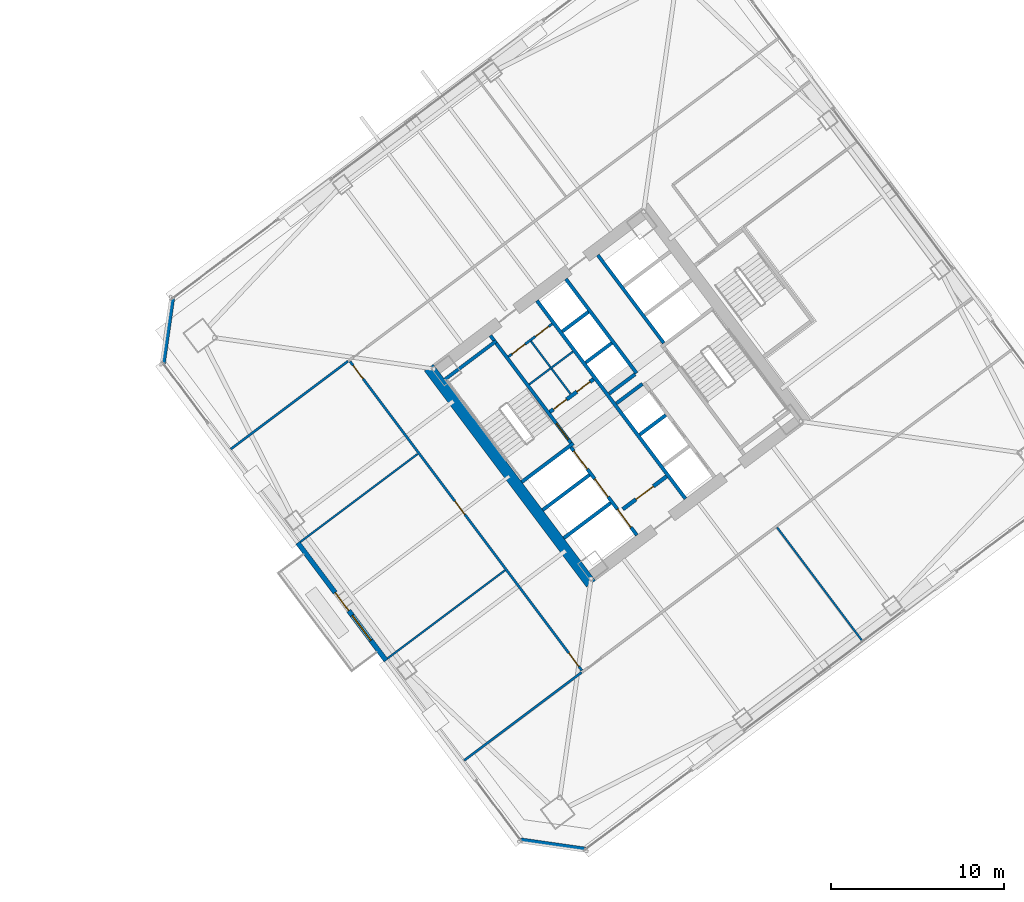
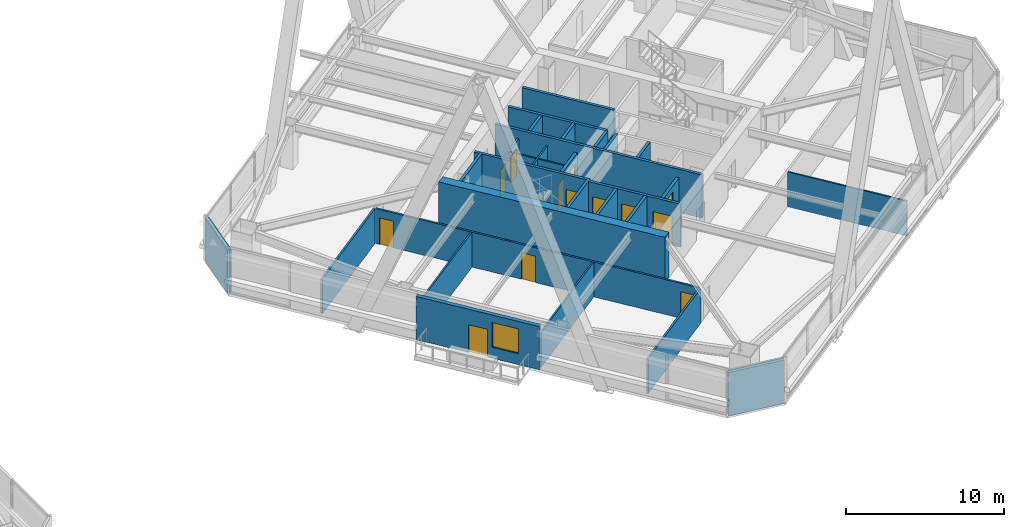
# One storey, part 45 of 54: 29 walls, 13 doors, 1 window, 14 openings.
"""IFC4 building model written with IfcOpenShell, lengths in metres."""

from ifc_helpers import new_model, si_unit, direction, frame, frame_2d, origin, place, context, subcontext, project, spatial, rectangle, extrude, material, layer, layer_set, type_object, element, fill, save


model = new_model("IFC4")

# Units and contexts
model_context = context("Model", 3, precision=1e-05, world=origin(), true_north=direction((0.0, 1.0)))
body_context = subcontext(model_context, "Body", "Model", "MODEL_VIEW")
ifc_project = project(units=[si_unit("LENGTHUNIT", "METRE"), si_unit("AREAUNIT", "SQUARE_METRE"), si_unit("VOLUMEUNIT", "CUBIC_METRE"), si_unit("PLANEANGLEUNIT", "RADIAN"), si_unit("MASSUNIT", "GRAM", prefix="KILO")], contexts=[model_context])

# Site, building, storey
site_placement = place(None, origin())
site = spatial("IfcSite", under=ifc_project, at=site_placement, CompositionType="ELEMENT")
building_placement = place(site_placement, origin())
building = spatial("IfcBuilding", under=site, at=building_placement, Name="Tashvorn Skyway Center", CompositionType="ELEMENT")
storey_placement = place(building_placement, frame((0.0, 0.0, 88.5)))
storey = spatial("IfcBuildingStorey", under=building, at=storey_placement, Name="L23", CompositionType="ELEMENT", Elevation=88.5)

# Wall
ifc_material_1 = material(Name="Concrete C60/75", Category="concrete")
ifc_layer_1 = layer(ifc_material_1, 0.64990234375)
ifc_layer_set_1 = layer_set([ifc_layer_1], Name="Concrete C60/75")
wall_type_1 = type_object("IfcWallType", Name="WALL-CORE-650", PredefinedType="SHEAR", material=ifc_layer_set_1)
wall_1_placement = place(storey_placement, frame((112.47607421875, 21.10693359375, 0.0), z_axis=(0.0, 0.0, 1.0), x_axis=(-0.600005007985, 0.799996243986, 0.0)))
element("IfcWall", 1, at=wall_1_placement, inside=storey, type_object=wall_type_1, Name="Tower 2 L23 West Core Shear Wall", PredefinedType="SHEAR", context=body_context, shape_type="SweptSolid", body=[
    extrude(rectangle(XDim=15.60009765625, YDim=0.64990234375, at=frame_2d((7.800048828125, 0.0))), origin(), (0.0, 0.0, 1.0), 3.550048828125),
])

# Wall, openings, door, window
ifc_material_2 = material(Name="Precast concrete C40/50", Category="concrete")
ifc_layer_2 = layer(ifc_material_2, 0.280029296875)
ifc_layer_set_2 = layer_set([ifc_layer_2], Name="Precast concrete C40/50")
wall_type_2 = type_object("IfcWallType", Name="WALL-EXT-280", PredefinedType="SOLIDWALL", material=ifc_layer_set_2)
wall_2_placement = place(storey_placement, frame((100.64599609375, 16.672119140625, 0.0), z_axis=(0.0, 0.0, 1.0), x_axis=(-0.600018382406, 0.799986212866, 0.0)))
wall_2 = element("IfcWall", 2, at=wall_2_placement, inside=storey, type_object=wall_type_2, Name="Tower 2 L23 West Terrace Portal Wall", PredefinedType="SOLIDWALL", context=body_context, shape_type="SweptSolid", body=[
    extrude(rectangle(XDim=8.5, YDim=0.280029296875, at=frame_2d((4.25, 0.0))), origin(), (0.0, 0.0, 1.0), 3.35009765625),
])
opening_1_placement = place(wall_2_placement, frame((3.60009765625, 0.0, 0.0)))
opening_1 = element("IfcOpeningElement", 3, at=opening_1_placement, cuts=wall_2, Name="Opening D-TER-1300", PredefinedType="OPENING", context=body_context, shape_type="SweptSolid", body=[
    extrude(rectangle(XDim=1.300048828125, YDim=2.14990234375, at=frame_2d((0.64990234375, 1.074951171875))), frame((0.0, 0.14990234375, 0.0), z_axis=(0.0, -1.0, 0.0), x_axis=(1.0, 0.0, 0.0)), (0.0, 0.0, 1.0), 0.300048828125),
])
opening_2_placement = place(wall_2_placement, frame((1.4599609375, 0.0, 0.85009765625)))
opening_2 = element("IfcOpeningElement", 4, at=opening_2_placement, cuts=wall_2, Name="Opening WIN-1800", PredefinedType="OPENING", context=body_context, shape_type="SweptSolid", body=[
    extrude(rectangle(XDim=1.800048828125, YDim=1.919921875, at=frame_2d((0.89990234375, 0.9599609375))), frame((0.0, 0.14990234375, 0.0), z_axis=(0.0, -1.0, 0.0), x_axis=(1.0, 0.0, 0.0)), (0.0, 0.0, 1.0), 0.300048828125),
])
ifc_material_3 = material(Name="Thermally broken bronze-anodized aluminium 6063-T6", Category="aluminium")
door_type_1 = type_object("IfcDoorType", Name="DOOR-TERR-1300", OperationType="NOTDEFINED", PredefinedType="DOOR", material=ifc_material_3)
door_1_placement = place(opening_1_placement, origin())
door_1 = element("IfcDoor", 5, at=door_1_placement, inside=storey, type_object=door_type_1, Name="Tower 2 L23 Terrace Access Door", OperationType="SINGLE_SWING_RIGHT", OverallHeight=2.14990234375, OverallWidth=1.300048828125, PredefinedType="DOOR", context=body_context, shape_type="SweptSolid", body=[
    extrude(rectangle(XDim=1.300048828125, YDim=2.14990234375, at=frame_2d((0.64990234375, 1.074951171875))), frame((0.0, 0.02490234375, 0.0), z_axis=(0.0, -1.0, 0.0), x_axis=(1.0, 0.0, 0.0)), (0.0, 0.0, 1.0), 0.050048828125),
])
fill(opening_1, door_1)
ifc_material_4 = material(Name="Low-E solar-control double insulating safety glass", Category="glass")
window_type = type_object("IfcWindowType", Name="WIN-TERR-1800", PartitioningType="SINGLE_PANEL", PredefinedType="WINDOW", material=ifc_material_4)
window_placement = place(opening_2_placement, origin())
window = element("IfcWindow", 6, at=window_placement, inside=storey, type_object=window_type, Name="Tower 2 L23 Terrace Window", OverallHeight=1.919921875, OverallWidth=1.800048828125, PartitioningType="SINGLE_PANEL", PredefinedType="WINDOW", context=body_context, shape_type="SweptSolid", body=[
    extrude(rectangle(XDim=1.800048828125, YDim=1.919921875, at=frame_2d((0.89990234375, 0.9599609375))), frame((0.0, 0.030029296875, 0.0), z_axis=(0.0, -1.0, 0.0), x_axis=(1.0, 0.0, 0.0)), (0.0, 0.0, 1.0), 0.06005859375),
])
fill(opening_2, window)

# Walls
for number, where, z_axis, x_axis, name in (
    (7, (112.179931640625, 5.760009765625, 0.0), (0.0, 0.0, 1.0), (-0.989948214866, 0.141430307517, 0.0), "Tower 2 L23 SW Precast Chamfer Wall"),
    (8, (87.760009765625, 33.820068359375, 0.0), (0.0, 0.0, 1.0), (0.141430307517, 0.989948214866, 0.0), "Tower 2 L23 NW Precast Chamfer Wall"),
):
    element("IfcWall", number, at=place(storey_placement, frame(where, z_axis=z_axis, x_axis=x_axis)), inside=storey, type_object=wall_type_2, Name=name, PredefinedType="SOLIDWALL", context=body_context, shape_type="SweptSolid", body=[
        extrude(rectangle(XDim=3.818359375, YDim=0.280029296875, at=frame_2d((1.9091796875, 0.0))), origin(), (0.0, 0.0, 1.0), 3.35009765625),
    ])

# Wall, openings, doors
ifc_material_5 = material(Name="Concrete C40/50", Category="concrete")
ifc_layer_3 = layer(ifc_material_5, 0.219970703125)
ifc_layer_set_3 = layer_set([ifc_layer_3], Name="Concrete C40/50")
wall_type_3 = type_object("IfcWallType", Name="WALL-FFL-220", PredefinedType="SOLIDWALL", material=ifc_layer_set_3)
wall_3_placement = place(storey_placement, frame((110.10400390625, 31.028076171875, 0.0), z_axis=(0.0, 0.0, 1.0), x_axis=(0.800018601094, 0.59997519774, 0.0)))
wall_3 = element("IfcWall", 9, at=wall_3_placement, inside=storey, type_object=wall_type_3, Name="Tower 2 L23 Firefighting Lobby North Wall", PredefinedType="SOLIDWALL", context=body_context, shape_type="SweptSolid", body=[
    extrude(rectangle(XDim=3.14990234375, YDim=0.219970703125, at=frame_2d((1.574951171875, 0.0))), origin(), (0.0, 0.0, 1.0), 2.702880859375),
])
opening_3_placement = place(wall_3_placement, frame((0.25, 0.0, 0.0)))
opening_3 = element("IfcOpeningElement", 10, at=opening_3_placement, cuts=wall_3, Name="Opening D-RT-950", PredefinedType="OPENING", context=body_context, shape_type="SweptSolid", body=[
    extrude(rectangle(XDim=0.949951171875, YDim=2.050048828125, at=frame_2d((0.47509765625, 1.02490234375))), frame((0.0, 0.119873046875, 0.0), z_axis=(0.0, -1.0, 0.0), x_axis=(1.0, 0.0, 0.0)), (0.0, 0.0, 1.0), 0.239990234375),
])
opening_4_placement = place(wall_3_placement, frame((1.949951171875, 0.0, 0.0)))
opening_4 = element("IfcOpeningElement", 11, at=opening_4_placement, cuts=wall_3, Name="Opening D-RT-950", PredefinedType="OPENING", context=body_context, shape_type="SweptSolid", body=[
    extrude(rectangle(XDim=0.949951171875, YDim=2.050048828125, at=frame_2d((0.47509765625, 1.02490234375))), frame((0.0, 0.119873046875, 0.0), z_axis=(0.0, -1.0, 0.0), x_axis=(1.0, 0.0, 0.0)), (0.0, 0.0, 1.0), 0.239990234375),
])
ifc_material_6 = material(Name="Hollow galvanized steel fire door assembly", Category="steel")
door_type_2 = type_object("IfcDoorType", Name="DOOR-RATED-950", OperationType="NOTDEFINED", PredefinedType="DOOR", material=ifc_material_6)
door_2_placement = place(opening_3_placement, origin())
door_2 = element("IfcDoor", 12, at=door_2_placement, inside=storey, type_object=door_type_2, Name="Tower 2 L23 Core Mail Room Door", OperationType="SINGLE_SWING_LEFT", OverallHeight=2.050048828125, OverallWidth=0.949951171875, PredefinedType="DOOR", context=body_context, shape_type="SweptSolid", body=[
    extrude(rectangle(XDim=0.949951171875, YDim=2.050048828125, at=frame_2d((0.47509765625, 1.02490234375))), frame((0.0, 0.02490234375, 0.0), z_axis=(0.0, -1.0, 0.0), x_axis=(1.0, 0.0, 0.0)), (0.0, 0.0, 1.0), 0.050048828125),
])
fill(opening_3, door_2)
door_3_placement = place(opening_4_placement, origin())
door_3 = element("IfcDoor", 13, at=door_3_placement, inside=storey, type_object=door_type_2, Name="Tower 2 L23 Core Supply Closet Door", OperationType="SINGLE_SWING_RIGHT", OverallHeight=2.050048828125, OverallWidth=0.949951171875, PredefinedType="DOOR", context=body_context, shape_type="SweptSolid", body=[
    extrude(rectangle(XDim=0.949951171875, YDim=2.050048828125, at=frame_2d((0.47509765625, 1.02490234375))), frame((0.0, 0.02490234375, 0.0), z_axis=(0.0, -1.0, 0.0), x_axis=(1.0, 0.0, 0.0)), (0.0, 0.0, 1.0), 0.050048828125),
])
fill(opening_4, door_3)

# Wall, opening, door
wall_4_placement = place(storey_placement, frame((114.31591796875, 25.412109375, 0.0), z_axis=(0.0, 0.0, 1.0), x_axis=(0.800018601094, 0.59997519774, 0.0)))
wall_4 = element("IfcWall", 14, at=wall_4_placement, inside=storey, type_object=wall_type_3, Name="Tower 2 L23 Firefighting Lobby South Wall", PredefinedType="SOLIDWALL", context=body_context, shape_type="SweptSolid", body=[
    extrude(rectangle(XDim=3.14990234375, YDim=0.219970703125, at=frame_2d((1.574951171875, 0.0))), origin(), (0.0, 0.0, 1.0), 2.702880859375),
])
opening_5_placement = place(wall_4_placement, frame((0.949951171875, 0.0, 0.0)))
opening_5 = element("IfcOpeningElement", 15, at=opening_5_placement, cuts=wall_4, Name="Opening D-FFL-1250", PredefinedType="OPENING", context=body_context, shape_type="SweptSolid", body=[
    extrude(rectangle(XDim=1.25, YDim=2.25, at=frame_2d((0.625, 1.125))), frame((0.0, 0.119873046875, 0.0), z_axis=(0.0, -1.0, 0.0), x_axis=(1.0, 0.0, 0.0)), (0.0, 0.0, 1.0), 0.239990234375),
])
door_type_3 = type_object("IfcDoorType", Name="DOOR-FFL-1250", OperationType="NOTDEFINED", PredefinedType="DOOR", material=ifc_material_6)
door_4_placement = place(opening_5_placement, origin())
door_4 = element("IfcDoor", 16, at=door_4_placement, inside=storey, type_object=door_type_3, Name="Tower 2 L23 Firefighting Lobby Egress Door", OperationType="SINGLE_SWING_LEFT", OverallHeight=2.25, OverallWidth=1.25, PredefinedType="DOOR", context=body_context, shape_type="SweptSolid", body=[
    extrude(rectangle(XDim=1.25, YDim=2.25, at=frame_2d((0.625, 1.125))), frame((0.0, 0.02490234375, 0.0), z_axis=(0.0, -1.0, 0.0), x_axis=(1.0, 0.0, 0.0)), (0.0, 0.0, 1.0), 0.050048828125),
])
fill(opening_5, door_4)

# Walls
ifc_material_7 = material(Name="Gypsum board on cold-formed steel stud framing", Category="steel")
ifc_layer_4 = layer(ifc_material_7, 0.110107421875)
ifc_layer_set_4 = layer_set([ifc_layer_4], Name="Gypsum board on cold-formed steel stud framing")
wall_type_4 = type_object("IfcWallType", Name="WALL-PART-110", PredefinedType="PARTITIONING", material=ifc_layer_set_4)
wall_5_placement = place(storey_placement, frame((128.16796875, 17.77587890625, 0.0), z_axis=(0.0, 0.0, 1.0), x_axis=(-0.599985761145, 0.800010678943, 0.0)))
element("IfcWall", 17, at=wall_5_placement, inside=storey, type_object=wall_type_4, Name="Tower 2 L23 South Suite Partition 1", PredefinedType="PARTITIONING", context=body_context, shape_type="SweptSolid", body=[
    extrude(rectangle(XDim=8.230224609375, YDim=0.110107421875, at=frame_2d((4.115234375, 0.0))), origin(), (0.0, 0.0, 1.0), 2.702880859375),
])
for number, where, z_axis, x_axis, name in (
    (18, (100.736083984375, 16.802001953125, 0.0), (0.0, 0.0, 1.0), (0.799993082085, 0.600009223776, 0.0), "Tower 2 L23 West Suite Partition 1"),
    (19, (95.696044921875, 23.52197265625, 0.0), (0.0, 0.0, 1.0), (0.799993082085, 0.600009223776, 0.0), "Tower 2 L23 West Suite Partition 2"),
):
    element("IfcWall", number, at=place(storey_placement, frame(where, z_axis=z_axis, x_axis=x_axis)), inside=storey, type_object=wall_type_4, Name=name, PredefinedType="PARTITIONING", context=body_context, shape_type="SweptSolid", body=[
        extrude(rectangle(XDim=8.469970703125, YDim=0.110107421875, at=frame_2d((4.23486328125, 0.0))), origin(), (0.0, 0.0, 1.0), 2.702880859375),
    ])

# Wall, openings, doors
ifc_layer_5 = layer(ifc_material_7, 0.135009765625)
ifc_layer_set_5 = layer_set([ifc_layer_5], Name="Gypsum board on cold-formed steel stud framing")
wall_type_5 = type_object("IfcWallType", Name="WALL-PART-135", PredefinedType="PARTITIONING", material=ifc_layer_set_5)
wall_6_placement = place(storey_placement, frame((111.949951171875, 16.10009765625, 0.0), z_axis=(0.0, 0.0, 1.0), x_axis=(-0.600001750902, 0.799998686821, 0.0)))
wall_6 = element("IfcWall", 20, at=wall_6_placement, inside=storey, type_object=wall_type_5, Name="Tower 2 L23 West Inner Suite Wall", PredefinedType="PARTITIONING", context=body_context, shape_type="SweptSolid", body=[
    extrude(rectangle(XDim=22.309814453125, YDim=0.135009765625, at=frame_2d((11.15478515625, 0.0))), origin(), (0.0, 0.0, 1.0), 2.702880859375),
])
opening_6_placement = place(wall_6_placement, frame((0.300048828125, 0.0, 0.0)))
opening_6 = element("IfcOpeningElement", 21, at=opening_6_placement, cuts=wall_6, Name="Opening D-INT-950", PredefinedType="OPENING", context=body_context, shape_type="SweptSolid", body=[
    extrude(rectangle(XDim=0.949951171875, YDim=2.050048828125, at=frame_2d((0.47509765625, 1.02490234375))), frame((0.0, 0.077392578125, 0.0), z_axis=(0.0, -1.0, 0.0), x_axis=(1.0, 0.0, 0.0)), (0.0, 0.0, 1.0), 0.155029296875),
])
opening_7_placement = place(wall_6_placement, frame((11.272216796875, 0.0, 0.0)))
opening_7 = element("IfcOpeningElement", 22, at=opening_7_placement, cuts=wall_6, Name="Opening D-INT-950", PredefinedType="OPENING", context=body_context, shape_type="SweptSolid", body=[
    extrude(rectangle(XDim=0.949951171875, YDim=2.050048828125, at=frame_2d((0.47509765625, 1.02490234375))), frame((0.0, 0.077392578125, 0.0), z_axis=(0.0, -1.0, 0.0), x_axis=(1.0, 0.0, 0.0)), (0.0, 0.0, 1.0), 0.155029296875),
])
opening_8_placement = place(wall_6_placement, frame((21.06005859375, 0.0, 0.0)))
opening_8 = element("IfcOpeningElement", 23, at=opening_8_placement, cuts=wall_6, Name="Opening D-INT-950", PredefinedType="OPENING", context=body_context, shape_type="SweptSolid", body=[
    extrude(rectangle(XDim=0.949951171875, YDim=2.050048828125, at=frame_2d((0.47509765625, 1.02490234375))), frame((0.0, 0.077392578125, 0.0), z_axis=(0.0, -1.0, 0.0), x_axis=(1.0, 0.0, 0.0)), (0.0, 0.0, 1.0), 0.155029296875),
])
ifc_material_8 = material(Name="Solid-core architectural oak veneer door")
door_type_4 = type_object("IfcDoorType", Name="DOOR-INT-950", OperationType="NOTDEFINED", PredefinedType="DOOR", material=ifc_material_8)
door_5_placement = place(opening_6_placement, origin())
door_5 = element("IfcDoor", 24, at=door_5_placement, inside=storey, type_object=door_type_4, Name="Tower 2 L23 Corporate Office Door", OperationType="SINGLE_SWING_LEFT", OverallHeight=2.050048828125, OverallWidth=0.949951171875, PredefinedType="DOOR", context=body_context, shape_type="SweptSolid", body=[
    extrude(rectangle(XDim=0.949951171875, YDim=2.050048828125, at=frame_2d((0.47509765625, 1.02490234375))), frame((0.0, 0.02490234375, 0.0), z_axis=(0.0, -1.0, 0.0), x_axis=(1.0, 0.0, 0.0)), (0.0, 0.0, 1.0), 0.050048828125),
])
fill(opening_6, door_5)
door_6_placement = place(opening_7_placement, origin())
door_6 = element("IfcDoor", 25, at=door_6_placement, inside=storey, type_object=door_type_4, Name="Tower 2 L23 Wellness Clinic Door", OperationType="SINGLE_SWING_RIGHT", OverallHeight=2.050048828125, OverallWidth=0.949951171875, PredefinedType="DOOR", context=body_context, shape_type="SweptSolid", body=[
    extrude(rectangle(XDim=0.949951171875, YDim=2.050048828125, at=frame_2d((0.47509765625, 1.02490234375))), frame((0.0, 0.02490234375, 0.0), z_axis=(0.0, -1.0, 0.0), x_axis=(1.0, 0.0, 0.0)), (0.0, 0.0, 1.0), 0.050048828125),
])
fill(opening_7, door_6)
door_7_placement = place(opening_8_placement, origin())
door_7 = element("IfcDoor", 26, at=door_7_placement, inside=storey, type_object=door_type_4, Name="Tower 2 L23 Corporate Office Door", OperationType="SINGLE_SWING_LEFT", OverallHeight=2.050048828125, OverallWidth=0.949951171875, PredefinedType="DOOR", context=body_context, shape_type="SweptSolid", body=[
    extrude(rectangle(XDim=0.949951171875, YDim=2.050048828125, at=frame_2d((0.47509765625, 1.02490234375))), frame((0.0, 0.02490234375, 0.0), z_axis=(0.0, -1.0, 0.0), x_axis=(1.0, 0.0, 0.0)), (0.0, 0.0, 1.0), 0.050048828125),
])
fill(opening_8, door_7)

# Walls
wall_7_placement = place(storey_placement, frame((98.451904296875, 33.964111328125, 0.0), z_axis=(0.0, 0.0, 1.0), x_axis=(-0.799993082085, -0.600009223776, 0.0)))
element("IfcWall", 27, at=wall_7_placement, inside=storey, type_object=wall_type_5, Name="Tower 2 L23 West Suite North Wall", PredefinedType="PARTITIONING", context=body_context, shape_type="SweptSolid", body=[
    extrude(rectangle(XDim=8.469970703125, YDim=0.135009765625, at=frame_2d((4.23486328125, 0.0))), origin(), (0.0, 0.0, 1.0), 2.702880859375),
])
wall_8_placement = place(storey_placement, frame((105.157958984375, 10.906005859375, 0.0), z_axis=(0.0, 0.0, 1.0), x_axis=(0.800003458838, 0.599995388188, 0.0)))
element("IfcWall", 28, at=wall_8_placement, inside=storey, type_object=wall_type_5, Name="Tower 2 L23 West Suite South Wall", PredefinedType="PARTITIONING", context=body_context, shape_type="SweptSolid", body=[
    extrude(rectangle(XDim=8.47021484375, YDim=0.135009765625, at=frame_2d((4.235107421875, 0.0))), origin(), (0.0, 0.0, 1.0), 2.702880859375),
])
ifc_layer_6 = layer(ifc_material_7, 0.110107421875)
ifc_layer_set_6 = layer_set([ifc_layer_6], Name="Gypsum board on cold-formed steel stud framing")
wall_type_6 = type_object("IfcWallType", Name="WALL-RATED-110", PredefinedType="PARTITIONING", material=ifc_layer_set_6)
wall_9_placement = place(storey_placement, frame((111.2958984375, 32.072021484375, 0.0), z_axis=(0.0, 0.0, 1.0), x_axis=(-0.59995887973, 0.800030838552, 0.0)))
element("IfcWall", 29, at=wall_9_placement, inside=storey, type_object=wall_type_6, Name="Tower 2 L23 Core Cross Vertical", PredefinedType="PARTITIONING", context=body_context, shape_type="SweptSolid", body=[
    extrude(rectangle(XDim=3.7998046875, YDim=0.110107421875, at=frame_2d((1.89990234375, 0.0))), origin(), (0.0, 0.0, 1.0), 2.702880859375),
])
wall_10_placement = place(storey_placement, frame((108.909912109375, 32.6201171875, 0.0), z_axis=(0.0, 0.0, 1.0), x_axis=(0.800018601094, 0.59997519774, 0.0)))
element("IfcWall", 30, at=wall_10_placement, inside=storey, type_object=wall_type_6, Name="Tower 2 L23 Core Cross Horizontal", PredefinedType="PARTITIONING", context=body_context, shape_type="SweptSolid", body=[
    extrude(rectangle(XDim=3.14990234375, YDim=0.110107421875, at=frame_2d((1.574951171875, 0.0))), origin(), (0.0, 0.0, 1.0), 2.702880859375),
])

# Wall, openings, doors
ifc_layer_7 = layer(ifc_material_7, 0.135009765625)
ifc_layer_set_7 = layer_set([ifc_layer_7], Name="Gypsum board on cold-formed steel stud framing")
wall_type_7 = type_object("IfcWallType", Name="WALL-RATED-135", PredefinedType="PARTITIONING", material=ifc_layer_set_7)
wall_11_placement = place(storey_placement, frame((107.7099609375, 34.219970703125, 0.0), z_axis=(0.0, 0.0, 1.0), x_axis=(0.799981399002, 0.60002480053, 0.0)))
wall_11 = element("IfcWall", 31, at=wall_11_placement, inside=storey, type_object=wall_type_7, Name="Tower 2 L23 Core Service Lobby Wall", PredefinedType="PARTITIONING", context=body_context, shape_type="SweptSolid", body=[
    extrude(rectangle(XDim=3.150146484375, YDim=0.135009765625, at=frame_2d((1.5751953125, 0.0))), origin(), (0.0, 0.0, 1.0), 2.702880859375),
])
opening_9_placement = place(wall_11_placement, frame((0.25, 0.0, 0.0)))
opening_9 = element("IfcOpeningElement", 32, at=opening_9_placement, cuts=wall_11, Name="Opening D-RT-950", PredefinedType="OPENING", context=body_context, shape_type="SweptSolid", body=[
    extrude(rectangle(XDim=0.949951171875, YDim=2.050048828125, at=frame_2d((0.47509765625, 1.02490234375))), frame((0.0, 0.077392578125, 0.0), z_axis=(0.0, -1.0, 0.0), x_axis=(1.0, 0.0, 0.0)), (0.0, 0.0, 1.0), 0.155029296875),
])
opening_10_placement = place(wall_11_placement, frame((1.949951171875, 0.0, 0.0)))
opening_10 = element("IfcOpeningElement", 33, at=opening_10_placement, cuts=wall_11, Name="Opening D-RT-950", PredefinedType="OPENING", context=body_context, shape_type="SweptSolid", body=[
    extrude(rectangle(XDim=0.949951171875, YDim=2.050048828125, at=frame_2d((0.47509765625, 1.02490234375))), frame((0.0, 0.077392578125, 0.0), z_axis=(0.0, -1.0, 0.0), x_axis=(1.0, 0.0, 0.0)), (0.0, 0.0, 1.0), 0.155029296875),
])
door_8_placement = place(opening_9_placement, origin())
door_8 = element("IfcDoor", 34, at=door_8_placement, inside=storey, type_object=door_type_2, Name="Tower 2 L23 Core Cleaner Store Door", OperationType="SINGLE_SWING_LEFT", OverallHeight=2.050048828125, OverallWidth=0.949951171875, PredefinedType="DOOR", context=body_context, shape_type="SweptSolid", body=[
    extrude(rectangle(XDim=0.949951171875, YDim=2.050048828125, at=frame_2d((0.47509765625, 1.02490234375))), frame((0.0, 0.02490234375, 0.0), z_axis=(0.0, -1.0, 0.0), x_axis=(1.0, 0.0, 0.0)), (0.0, 0.0, 1.0), 0.050048828125),
])
fill(opening_9, door_8)
door_9_placement = place(opening_10_placement, origin())
door_9 = element("IfcDoor", 35, at=door_9_placement, inside=storey, type_object=door_type_2, Name="Tower 2 L23 Core Accessible WC Door", OperationType="SINGLE_SWING_RIGHT", OverallHeight=2.050048828125, OverallWidth=0.949951171875, PredefinedType="DOOR", context=body_context, shape_type="SweptSolid", body=[
    extrude(rectangle(XDim=0.949951171875, YDim=2.050048828125, at=frame_2d((0.47509765625, 1.02490234375))), frame((0.0, 0.02490234375, 0.0), z_axis=(0.0, -1.0, 0.0), x_axis=(1.0, 0.0, 0.0)), (0.0, 0.0, 1.0), 0.050048828125),
])
fill(opening_10, door_9)

# Walls
ifc_layer_8 = layer(ifc_material_5, 0.199951171875)
ifc_layer_set_8 = layer_set([ifc_layer_8], Name="Concrete C40/50")
wall_type_8 = type_object("IfcWallType", Name="WALL-SHAFT-200", PredefinedType="SOLIDWALL", material=ifc_layer_set_8)
for number, where, z_axis, x_axis, name in (
    (36, (110.906005859375, 23.741943359375, 0.0), (0.0, 0.0, 1.0), (0.8, 0.6, 0.0), "Tower 2 L23 FSAE Shaft Divider"),
    (37, (109.68798828125, 25.365966796875, 0.0), (0.0, 0.0, 1.0), (0.8, 0.6, 0.0), "Tower 2 L23 FSAE Shaft Divider"),
):
    element("IfcWall", number, at=place(storey_placement, frame(where, z_axis=z_axis, x_axis=x_axis)), inside=storey, type_object=wall_type_8, Name=name, PredefinedType="SOLIDWALL", context=body_context, shape_type="SweptSolid", body=[
        extrude(rectangle(XDim=3.380126953125, YDim=0.199951171875, at=frame_2d((1.68994140625, 0.0))), origin(), (0.0, 0.0, 1.0), 3.35009765625),
    ])
wall_12_placement = place(storey_placement, frame((115.2958984375, 29.721923828125, 0.0), z_axis=(0.0, 0.0, 1.0), x_axis=(0.799984418148, 0.600020775241, 0.0)))
element("IfcWall", 38, at=wall_12_placement, inside=storey, type_object=wall_type_8, Name="Tower 2 L23 Low-Rise Shaft Divider", PredefinedType="SOLIDWALL", context=body_context, shape_type="SweptSolid", body=[
    extrude(rectangle(XDim=1.880126953125, YDim=0.199951171875, at=frame_2d((0.93994140625, 0.0))), origin(), (0.0, 0.0, 1.0), 3.35009765625),
])
wall_13_placement = place(storey_placement, frame((113.946044921875, 31.52197265625, 0.0), z_axis=(0.0, 0.0, 1.0), x_axis=(0.8, 0.6, 0.0)))
element("IfcWall", 39, at=wall_13_placement, inside=storey, type_object=wall_type_8, Name="Tower 2 L23 Low-Rise Shaft Divider", PredefinedType="SOLIDWALL", context=body_context, shape_type="SweptSolid", body=[
    extrude(rectangle(XDim=1.8798828125, YDim=0.199951171875, at=frame_2d((0.93994140625, 0.0))), origin(), (0.0, 0.0, 1.0), 3.35009765625),
])
wall_14_placement = place(storey_placement, frame((115.110107421875, 33.27001953125, 0.0), z_axis=(0.0, 0.0, 1.0), x_axis=(-0.600011488909, 0.79999138319, 0.0)))
element("IfcWall", 40, at=wall_14_placement, inside=storey, type_object=wall_type_8, Name="Tower 2 L23 Mid-Rise Core Wall", PredefinedType="SOLIDWALL", context=body_context, shape_type="SweptSolid", body=[
    extrude(rectangle(XDim=6.800048828125, YDim=0.199951171875, at=frame_2d((3.39990234375, 0.0))), origin(), (0.0, 0.0, 1.0), 3.35009765625),
])
wall_15_placement = place(storey_placement, frame((113.52587890625, 32.08203125, 0.0), z_axis=(0.0, 0.0, 1.0), x_axis=(0.800046745961, 0.599937666993, 0.0)))
element("IfcWall", 41, at=wall_15_placement, inside=storey, type_object=wall_type_8, Name="Tower 2 L23 Mid-Rise Shaft Divider", PredefinedType="SOLIDWALL", context=body_context, shape_type="SweptSolid", body=[
    extrude(rectangle(XDim=1.880126953125, YDim=0.199951171875, at=frame_2d((0.93994140625, 0.0))), origin(), (0.0, 0.0, 1.0), 3.35009765625),
])
wall_16_placement = place(storey_placement, frame((112.176025390625, 33.882080078125, 0.0), z_axis=(0.0, 0.0, 1.0), x_axis=(0.8, 0.6, 0.0)))
element("IfcWall", 42, at=wall_16_placement, inside=storey, type_object=wall_type_8, Name="Tower 2 L23 Mid-Rise Shaft Divider", PredefinedType="SOLIDWALL", context=body_context, shape_type="SweptSolid", body=[
    extrude(rectangle(XDim=1.8798828125, YDim=0.199951171875, at=frame_2d((0.93994140625, 0.0))), origin(), (0.0, 0.0, 1.0), 3.35009765625),
])
wall_17_placement = place(storey_placement, frame((110.825927734375, 35.681884765625, 0.0), z_axis=(0.0, 0.0, 1.0), x_axis=(0.799984418148, 0.600020775241, 0.0)))
element("IfcWall", 43, at=wall_17_placement, inside=storey, type_object=wall_type_8, Name="Tower 2 L23 Mid-Rise Shaft Divider", PredefinedType="SOLIDWALL", context=body_context, shape_type="SweptSolid", body=[
    extrude(rectangle(XDim=1.880126953125, YDim=0.199951171875, at=frame_2d((0.93994140625, 0.0))), origin(), (0.0, 0.0, 1.0), 3.35009765625),
])

# Wall, opening, door
ifc_layer_9 = layer(ifc_material_5, 0.199951171875)
ifc_layer_set_9 = layer_set([ifc_layer_9], Name="Concrete C40/50")
wall_type_9 = type_object("IfcWallType", Name="WALL-STSHF-200", PredefinedType="SHEAR", material=ifc_layer_set_9)
wall_18_placement = place(storey_placement, frame((111.43994140625, 29.080078125, 0.0), z_axis=(0.0, 0.0, 1.0), x_axis=(-0.600009827119, 0.799992629566, 0.0)))
wall_18 = element("IfcWall", 44, at=wall_18_placement, inside=storey, type_object=wall_type_9, Name="Tower 2 L23 Stair 1 Enclosure Wall", PredefinedType="SHEAR", context=body_context, shape_type="SweptSolid", body=[
    extrude(rectangle(XDim=7.949951171875, YDim=0.199951171875, at=frame_2d((3.97509765625, 0.0))), origin(), (0.0, 0.0, 1.0), 3.35009765625),
])
opening_11_placement = place(wall_18_placement, frame((0.449951171875, 0.0, 0.0)))
opening_11 = element("IfcOpeningElement", 45, at=opening_11_placement, cuts=wall_18, Name="Opening D-ST-1150", PredefinedType="OPENING", context=body_context, shape_type="SweptSolid", body=[
    extrude(rectangle(XDim=1.14990234375, YDim=2.199951171875, at=frame_2d((0.574951171875, 1.10009765625))), frame((0.0, 0.10986328125, 0.0), z_axis=(0.0, -1.0, 0.0), x_axis=(1.0, 0.0, 0.0)), (0.0, 0.0, 1.0), 0.219970703125),
])
door_type_5 = type_object("IfcDoorType", Name="DOOR-STAIR-1150", OperationType="NOTDEFINED", PredefinedType="DOOR", material=ifc_material_6)
door_10_placement = place(opening_11_placement, origin())
door_10 = element("IfcDoor", 46, at=door_10_placement, inside=storey, type_object=door_type_5, Name="Tower 2 L23 Exit Stair 1 Door", OperationType="SINGLE_SWING_RIGHT", OverallHeight=2.199951171875, OverallWidth=1.14990234375, PredefinedType="DOOR", context=body_context, shape_type="SweptSolid", body=[
    extrude(rectangle(XDim=1.14990234375, YDim=2.199951171875, at=frame_2d((0.574951171875, 1.10009765625))), frame((0.0, 0.02490234375, 0.0), z_axis=(0.0, -1.0, 0.0), x_axis=(1.0, 0.0, 0.0)), (0.0, 0.0, 1.0), 0.050048828125),
])
fill(opening_11, door_10)

# Walls
for number, where, z_axis, x_axis, name in (
    (47, (108.47607421875, 26.98193359375, 0.0), (0.0, 0.0, 1.0), (0.799984290658, 0.600020945218, 0.0), "Tower 2 L23 Stair 1 South Wall"),
    (48, (104.035888671875, 32.902099609375, 0.0), (0.0, 0.0, 1.0), (0.800039270442, 0.59994763584, 0.0), "Tower 2 L23 Stair 1 North Wall"),
):
    element("IfcWall", number, at=place(storey_placement, frame(where, z_axis=z_axis, x_axis=x_axis)), inside=storey, type_object=wall_type_9, Name=name, PredefinedType="SHEAR", context=body_context, shape_type="SweptSolid", body=[
        extrude(rectangle(XDim=3.72998046875, YDim=0.199951171875, at=frame_2d((1.864990234375, 0.0))), origin(), (0.0, 0.0, 1.0), 3.35009765625),
    ])
wall_19_placement = place(storey_placement, frame((117.93798828125, 26.01611328125, 0.0), z_axis=(0.0, 0.0, 1.0), x_axis=(-0.600005463273, 0.799995902516, 0.0)))
element("IfcWall", 49, at=wall_19_placement, inside=storey, type_object=wall_type_9, Name="Tower 2 L23 Firefighting Lobby East Smoke Barrier", PredefinedType="SHEAR", context=body_context, shape_type="SweptSolid", body=[
    extrude(rectangle(XDim=14.300048828125, YDim=0.199951171875, at=frame_2d((7.14990234375, 0.0))), origin(), (0.0, 0.0, 1.0), 3.35009765625),
])

# Wall, openings, doors
wall_20_placement = place(storey_placement, frame((115.1298828125, 23.909912109375, 0.0), z_axis=(0.0, 0.0, 1.0), x_axis=(-0.599975393228, 0.800018454488, 0.0)))
wall_20 = element("IfcWall", 50, at=wall_20_placement, inside=storey, type_object=wall_type_9, Name="Tower 2 L23 FSAE and Goods Shaft Front Wall", PredefinedType="SHEAR", context=body_context, shape_type="SweptSolid", body=[
    extrude(rectangle(XDim=6.349853515625, YDim=0.199951171875, at=frame_2d((3.1748046875, 0.0))), origin(), (0.0, 0.0, 1.0), 3.35009765625),
])
opening_12_placement = place(wall_20_placement, frame((4.77490234375, 0.0, 0.0)))
opening_12 = element("IfcOpeningElement", 51, at=opening_12_placement, cuts=wall_20, Name="Opening LD-FF-T2-1-L23", PredefinedType="OPENING", context=body_context, shape_type="SweptSolid", body=[
    extrude(rectangle(XDim=1.300048828125, YDim=2.25, at=frame_2d((0.64990234375, 1.125))), frame((0.0, 0.10986328125, 0.0), z_axis=(0.0, -1.0, 0.0), x_axis=(1.0, 0.0, 0.0)), (0.0, 0.0, 1.0), 0.219970703125),
])
opening_13_placement = place(wall_20_placement, frame((2.77490234375, 0.0, 0.0)))
opening_13 = element("IfcOpeningElement", 52, at=opening_13_placement, cuts=wall_20, Name="Opening LD-FF-T2-2-L23", PredefinedType="OPENING", context=body_context, shape_type="SweptSolid", body=[
    extrude(rectangle(XDim=1.300048828125, YDim=2.25, at=frame_2d((0.64990234375, 1.125))), frame((0.0, 0.10986328125, 0.0), z_axis=(0.0, -1.0, 0.0), x_axis=(1.0, 0.0, 0.0)), (0.0, 0.0, 1.0), 0.219970703125),
])
opening_14_placement = place(wall_20_placement, frame((0.574951171875, 0.0, 0.0)))
opening_14 = element("IfcOpeningElement", 53, at=opening_14_placement, cuts=wall_20, Name="Opening LD-GD-T2-1-L23", PredefinedType="OPENING", context=body_context, shape_type="SweptSolid", body=[
    extrude(rectangle(XDim=1.300048828125, YDim=2.25, at=frame_2d((0.64990234375, 1.125))), frame((0.0, 0.10986328125, 0.0), z_axis=(0.0, -1.0, 0.0), x_axis=(1.0, 0.0, 0.0)), (0.0, 0.0, 1.0), 0.219970703125),
])
ifc_material_9 = material(Name="Stainless steel heavy-duty landing door", Category="steel")
door_type_6 = type_object("IfcDoorType", Name="DOOR-LIFT-1300", OperationType="SLIDING_TO_LEFT", PredefinedType="DOOR", material=ifc_material_9)
door_11_placement = place(opening_12_placement, origin())
door_11 = element("IfcDoor", 54, at=door_11_placement, inside=storey, type_object=door_type_6, Name="Lift FF-T2-1 L23 Landing Door", OperationType="SLIDING_TO_LEFT", OverallHeight=2.25, OverallWidth=1.300048828125, PredefinedType="DOOR", context=body_context, shape_type="SweptSolid", body=[
    extrude(rectangle(XDim=1.300048828125, YDim=2.25, at=frame_2d((0.64990234375, 1.125))), frame((0.0, 0.02490234375, 0.0), z_axis=(0.0, -1.0, 0.0), x_axis=(1.0, 0.0, 0.0)), (0.0, 0.0, 1.0), 0.050048828125),
])
fill(opening_12, door_11)
door_12_placement = place(opening_13_placement, origin())
door_12 = element("IfcDoor", 55, at=door_12_placement, inside=storey, type_object=door_type_6, Name="Lift FF-T2-2 L23 Landing Door", OperationType="SLIDING_TO_LEFT", OverallHeight=2.25, OverallWidth=1.300048828125, PredefinedType="DOOR", context=body_context, shape_type="SweptSolid", body=[
    extrude(rectangle(XDim=1.300048828125, YDim=2.25, at=frame_2d((0.64990234375, 1.125))), frame((0.0, 0.02490234375, 0.0), z_axis=(0.0, -1.0, 0.0), x_axis=(1.0, 0.0, 0.0)), (0.0, 0.0, 1.0), 0.050048828125),
])
fill(opening_13, door_12)
door_13_placement = place(opening_14_placement, origin())
door_13 = element("IfcDoor", 56, at=door_13_placement, inside=storey, type_object=door_type_6, Name="Lift GD-T2-1 L23 Landing Door", OperationType="SLIDING_TO_LEFT", OverallHeight=2.25, OverallWidth=1.300048828125, PredefinedType="DOOR", context=body_context, shape_type="SweptSolid", body=[
    extrude(rectangle(XDim=1.300048828125, YDim=2.25, at=frame_2d((0.64990234375, 1.125))), frame((0.0, 0.02490234375, 0.0), z_axis=(0.0, -1.0, 0.0), x_axis=(1.0, 0.0, 0.0)), (0.0, 0.0, 1.0), 0.050048828125),
])
fill(opening_14, door_13)

# Wall
wall_21_placement = place(storey_placement, frame((112.8701171875, 40.090087890625, 0.0), z_axis=(0.0, 0.0, 1.0), x_axis=(0.599975393228, -0.800018454488, 0.0)))
element("IfcWall", 57, at=wall_21_placement, inside=storey, type_object=wall_type_9, Name="Tower 2 L23 High-Rise Lift Shaft Front Wall", PredefinedType="SHEAR", context=body_context, shape_type="SweptSolid", body=[
    extrude(rectangle(XDim=6.349853515625, YDim=0.199951171875, at=frame_2d((3.1748046875, 0.0))), origin(), (0.0, 0.0, 1.0), 3.35009765625),
])

save(model, "model.ifc")
